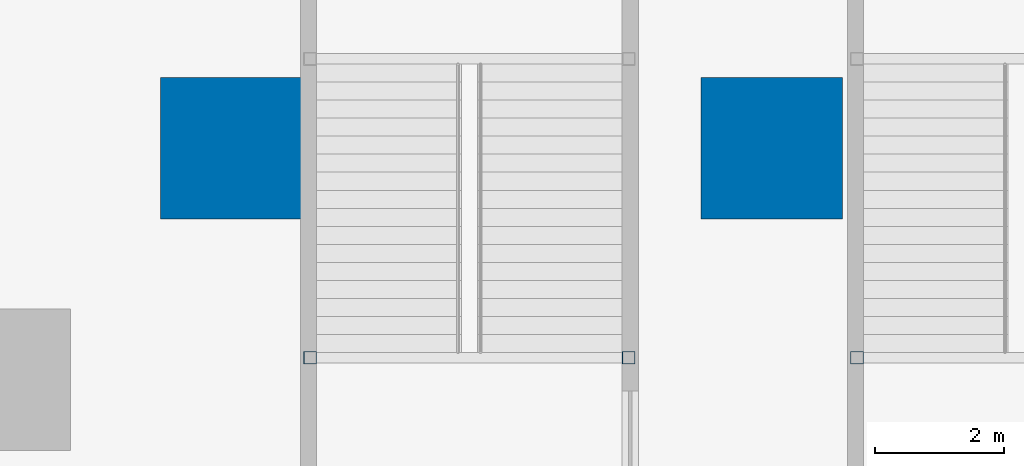
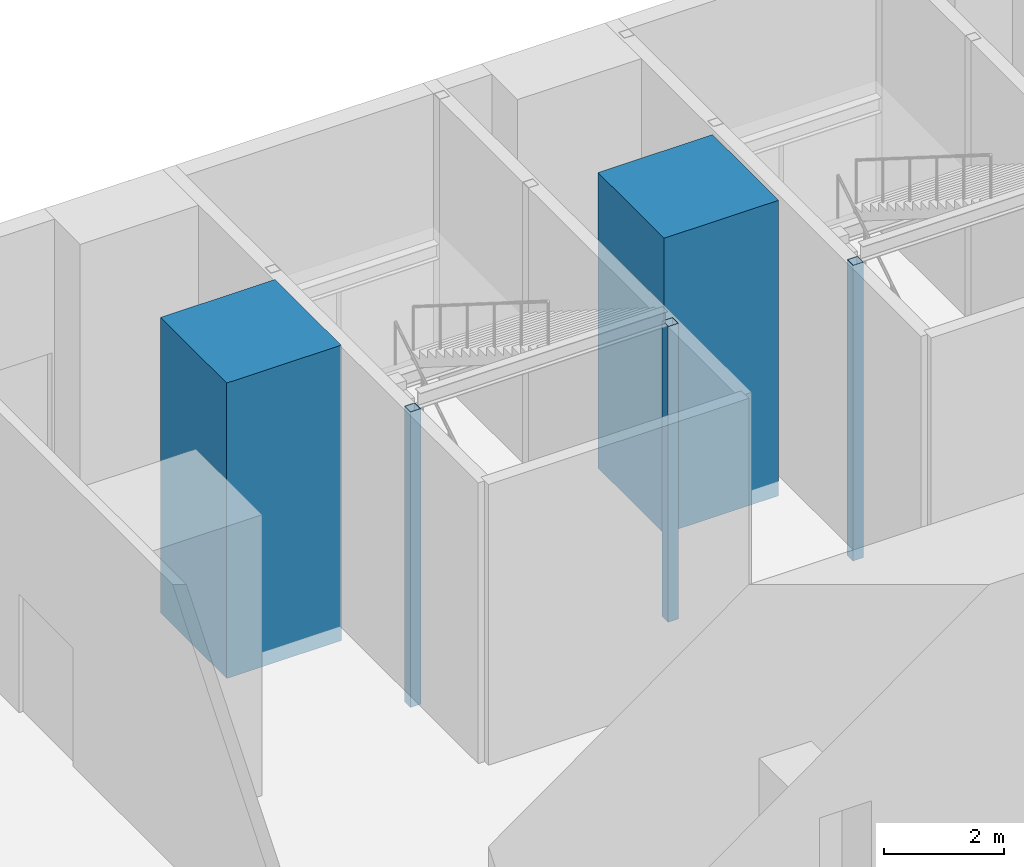
# One storey, part 8 of 26: 5 columns.
"""IFC4 building model written with IfcOpenShell, lengths in metres."""

from ifc_helpers import new_model, si_unit, direction, frame, origin, origin_2d, place, context, subcontext, project, spatial, rectangle, hollow_rectangle, extrude, material, material_profile, profile_set, type_object, element, save


model = new_model("IFC4")

# Units and contexts
model_context = context("Model", 3, precision=1e-05, world=origin(), true_north=direction((0.0, 1.0)))
body_context = subcontext(model_context, "Body", "Model", "MODEL_VIEW")
ifc_project = project(units=[si_unit("LENGTHUNIT", "METRE"), si_unit("AREAUNIT", "SQUARE_METRE"), si_unit("VOLUMEUNIT", "CUBIC_METRE"), si_unit("PLANEANGLEUNIT", "RADIAN"), si_unit("MASSUNIT", "GRAM", prefix="KILO")], contexts=[model_context])

# Site, building, storey
site_placement = place(None, origin())
site = spatial("IfcSite", under=ifc_project, at=site_placement, CompositionType="ELEMENT")
building_placement = place(site_placement, origin())
building = spatial("IfcBuilding", under=site, at=building_placement, Name="Dunama Terrace Hotel", CompositionType="ELEMENT")
storey_placement = place(building_placement, origin())
storey = spatial("IfcBuildingStorey", under=building, at=storey_placement, Name="L00", CompositionType="ELEMENT", Elevation=0.0)

# Columns
ifc_material_1 = material(Name="Concrete C60/75", Category="concrete")
ifc_material_profile_1 = material_profile(ifc_material_1, rectangle(XDim=2.199951171875, YDim=2.199951171875, at=origin_2d()), Name="RC 2200x2200")
ifc_profile_set_1 = profile_set([ifc_material_profile_1], Name="Concrete C60/75")
column_type_1 = type_object("IfcColumnType", Name="Column RC 2200x2200", PredefinedType="COLUMN", material=ifc_profile_set_1)
for number, where, z_axis, x_axis, name in (
    (1, (16.800048828125, 54.0, -0.300048828125), (0.0, 0.0, 1.0), (1.0, 0.0, 0.0), "Column L00 +16.8/+54.0"),
    (2, (25.199951171875, 54.0, -0.300048828125), (0.0, 0.0, 1.0), (1.0, 0.0, 0.0), "Column L00 +25.2/+54.0"),
):
    element("IfcColumn", number, at=place(storey_placement, frame(where, z_axis=z_axis, x_axis=x_axis)), inside=storey, type_object=column_type_1, Name=name, PredefinedType="COLUMN", context=body_context, shape_type="SweptSolid", body=[
        extrude(rectangle(XDim=2.199951171875, YDim=2.199951171875, at=origin_2d()), origin(), (0.0, 0.0, 1.0), 6.0),
    ])
ifc_material_2 = material(Name="Steel S355", Category="steel")
ifc_material_profile_2 = material_profile(ifc_material_2, hollow_rectangle(XDim=0.199951171875, YDim=0.199951171875, WallThickness=0.010009765625, at=origin_2d()), Name="SHS 200x200x10")
ifc_profile_set_2 = profile_set([ifc_material_profile_2], Name="Steel S355")
column_type_2 = type_object("IfcColumnType", Name="Stair post SHS 200x200x10", PredefinedType="COLUMN", material=ifc_profile_set_2)
for number, where, z_axis, x_axis, name in (
    (3, (18.02490234375, 50.742431640625, -0.300048828125), (0.0, 0.0, 1.0), (1.0, 0.0, 0.0), "Stair post P5 L00 +18.02/+50.74"),
    (4, (22.97509765625, 50.742431640625, -0.300048828125), (0.0, 0.0, 1.0), (1.0, 0.0, 0.0), "Stair post P5 L00 +22.98/+50.74"),
    (5, (26.52490234375, 50.742431640625, -0.300048828125), (0.0, 0.0, 1.0), (1.0, 0.0, 0.0), "Stair post P6 L00 +26.52/+50.74"),
):
    element("IfcColumn", number, at=place(storey_placement, frame(where, z_axis=z_axis, x_axis=x_axis)), inside=storey, type_object=column_type_2, Name=name, PredefinedType="COLUMN", context=body_context, shape_type="SweptSolid", body=[
        extrude(hollow_rectangle(XDim=0.199951171875, YDim=0.199951171875, WallThickness=0.010009765625, at=origin_2d()), origin(), (0.0, 0.0, 1.0), 6.0),
    ])

save(model, "model.ifc")
